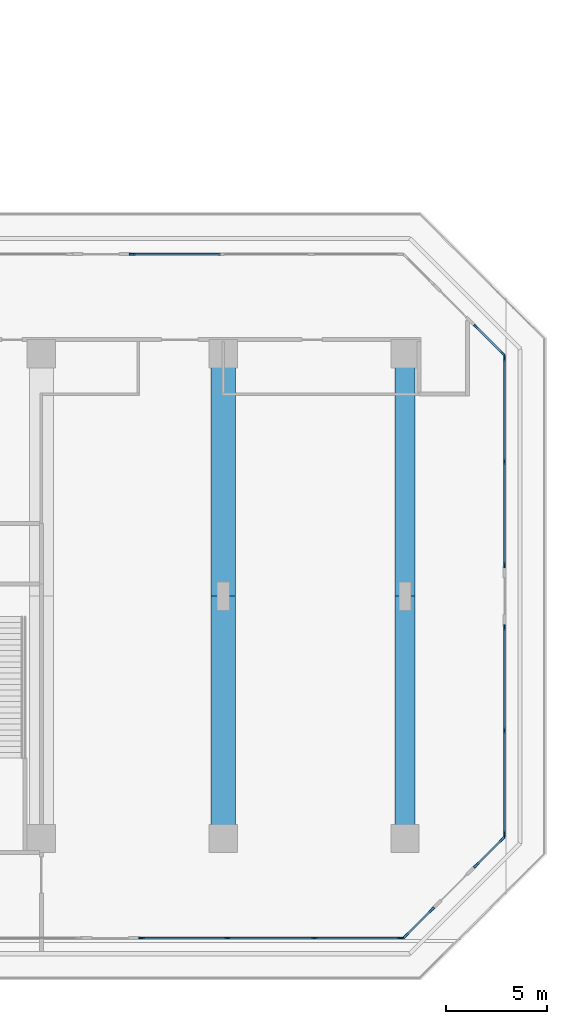
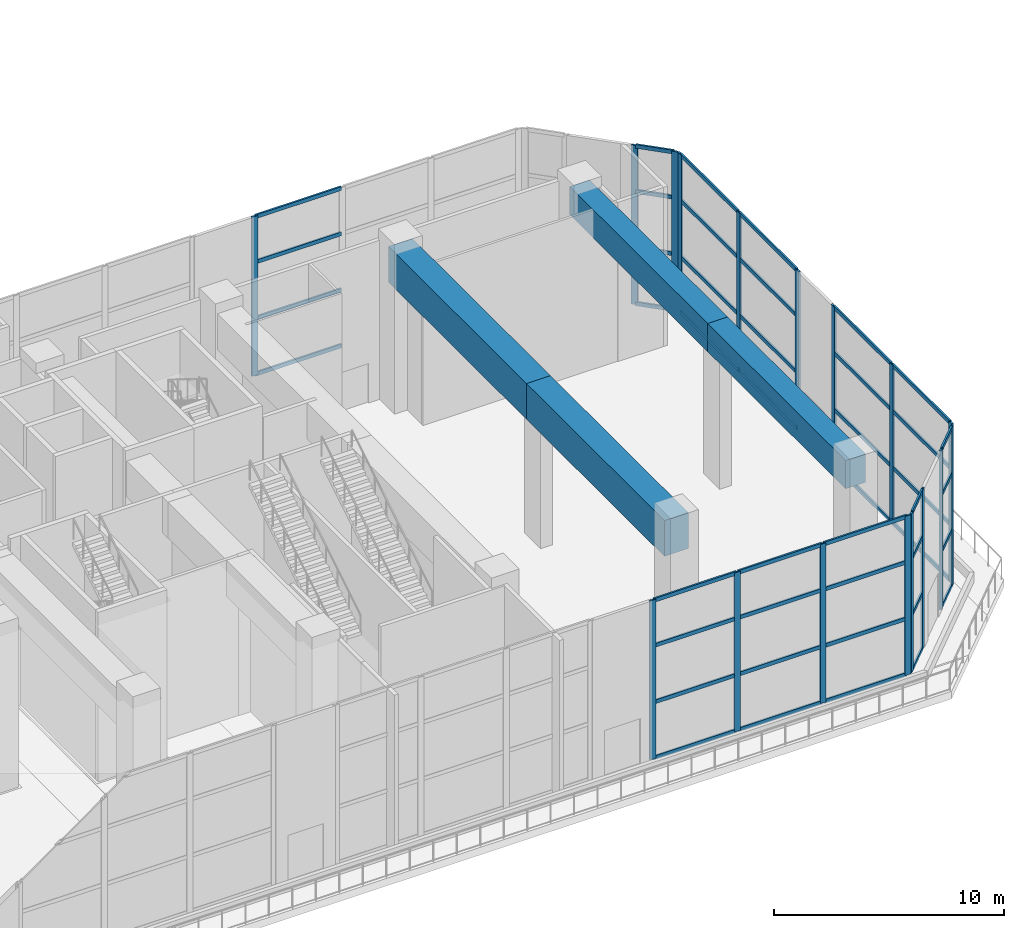
# One storey, part 6 of 28: 61 members, 4 beams, 7 elements without a shape of their own.
"""IFC4 building model written with IfcOpenShell, lengths in metres."""

import ifcopenshell
import ifcopenshell.guid

model = None  # the IFC model being written
_history = None  # IfcOwnerHistory: only IFC2X3 demands one
_inside = {}  # id of a spatial element -> (the spatial element, [elements in it])
_under = {}  # id of a project, library or spatial element -> (it, [spatial elements below it])
_declared = {}  # id of a project -> (the project, [libraries it declares])
_typed = {}  # id of a type object -> (the type object, [elements of that type])
_made_of = {}  # id of a material, layer set ... -> (it, [elements and type objects made of it])


def new_model(schema):
    """Start an empty IFC model of exactly this schema.

    Asked for "IFC4X3", IfcOpenShell would pick the latest addendum, in which some entities
    have other attributes; the version numbers below select the first issue.
    IFC2X3 requires an IfcOwnerHistory on every rooted entity: one is made here for all.
    """
    global model, _history
    if schema == "IFC4X3":
        model = ifcopenshell.file(schema_version=(4, 3, 0, 0))
    else:
        model = ifcopenshell.file(schema=schema)
    _inside.clear()
    _under.clear()
    _declared.clear()
    _typed.clear()
    _made_of.clear()
    _history = None
    if model.schema == "IFC2X3":
        org = make("IfcOrganization", Name="unknown")
        user = make(
            "IfcPersonAndOrganization",
            ThePerson=make("IfcPerson", FamilyName="unknown"),
            TheOrganization=org,
        )
        app = make(
            "IfcApplication",
            ApplicationDeveloper=org,
            Version="unknown",
            ApplicationFullName="unknown",
            ApplicationIdentifier="unknown",
        )
        _history = make(
            "IfcOwnerHistory",
            OwningUser=user,
            OwningApplication=app,
            ChangeAction="ADDED",
            CreationDate=0,
        )
    return model


def make(cls, **values):
    """One entity of the class cls with the attributes given. An attribute that is None is left unset."""
    return model.create_entity(
        cls, **{name: value for name, value in values.items() if value is not None}
    )


def rooted(cls, **values):
    """An entity with a GlobalId (a new one), such as an element, a storey or a relation."""
    return make(cls, GlobalId=ifcopenshell.guid.new(), OwnerHistory=_history, **values)


def si_unit(unit_type, name, prefix=None):
    """IfcSIUnit, for example si_unit("LENGTHUNIT", "METRE", prefix="MILLI")."""
    return make("IfcSIUnit", UnitType=unit_type, Prefix=prefix, Name=name)


def assignment(units):
    """IfcUnitAssignment: the units of a project."""
    return None if units is None else make("IfcUnitAssignment", Units=units)


def point(xyz):
    """IfcCartesianPoint."""
    return None if xyz is None else make("IfcCartesianPoint", Coordinates=xyz)


def direction(xyz):
    """IfcDirection."""
    return None if xyz is None else make("IfcDirection", DirectionRatios=xyz)


def frame(location, z_axis=None, x_axis=None):
    """IfcAxis2Placement3D, a coordinate frame: its origin and axes. An axis left out is left unset."""
    return make(
        "IfcAxis2Placement3D",
        Location=point(location),
        Axis=direction(z_axis),
        RefDirection=direction(x_axis),
    )


def frame_2d(location, x_axis=None):
    """IfcAxis2Placement2D, a coordinate frame in the plane: its origin and x axis."""
    return make(
        "IfcAxis2Placement2D", Location=point(location), RefDirection=direction(x_axis)
    )


def origin():
    """The frame at (0, 0, 0) with its axes left unset."""
    return frame((0.0, 0.0, 0.0))


def origin_2d():
    """The frame at (0, 0) in the plane with its x axis left unset."""
    return frame_2d((0.0, 0.0))


def place(relative_to, where):
    """IfcLocalPlacement: puts the frame where relative to a parent placement (None: the world)."""
    return make(
        "IfcLocalPlacement", PlacementRelTo=relative_to, RelativePlacement=where
    )


def context(
    kind, dimensions, precision=None, world=None, true_north=None, identifier=None
):
    """IfcGeometricRepresentationContext, for example the 3D "Model" context."""
    return make(
        "IfcGeometricRepresentationContext",
        ContextIdentifier=identifier,
        ContextType=kind,
        CoordinateSpaceDimension=dimensions,
        Precision=precision,
        WorldCoordinateSystem=world,
        TrueNorth=true_north,
    )


def subcontext(parent, identifier, kind, view, scale=None):
    """IfcGeometricRepresentationSubContext, for example "Body" below "Model"."""
    return make(
        "IfcGeometricRepresentationSubContext",
        ContextIdentifier=identifier,
        ContextType=kind,
        ParentContext=parent,
        TargetScale=scale,
        TargetView=view,
    )


def project(units=None, contexts=None):
    """IfcProject with its units and contexts."""
    return rooted(
        "IfcProject",
        Name="project",
        RepresentationContexts=contexts,
        UnitsInContext=assignment(units),
    )


def spatial(cls, under=None, at=None, **own):
    """A site, building, storey or space (cls), placed at a placement, below another one or the project."""
    s = rooted(cls, ObjectPlacement=at, **own)
    if under is not None:
        _under.setdefault(under.id(), (under, []))[1].append(s)
    return s


def profile(cls, at=None, kind="AREA", **sizes):
    """A parametric profile (cls). Its sizes go by their IFC names, for example OverallWidth=200.0."""
    return make(cls, ProfileType=kind, Position=at, **sizes)


def rectangle(**sizes):
    """IfcRectangleProfileDef."""
    return profile("IfcRectangleProfileDef", **sizes)


def extrude(swept, where, along, depth):
    """IfcExtrudedAreaSolid: the profile swept, set in the frame where, extruded along a direction by depth."""
    return make(
        "IfcExtrudedAreaSolid",
        SweptArea=swept,
        Position=where,
        ExtrudedDirection=direction(along),
        Depth=depth,
    )


def shape(context_of_items, identifier, shape_type, items):
    """IfcShapeRepresentation: the items that make up one representation, for example the "Body"."""
    return make(
        "IfcShapeRepresentation",
        ContextOfItems=context_of_items,
        RepresentationIdentifier=identifier,
        RepresentationType=shape_type,
        Items=items,
    )


def material(Name=None, Category=None):
    """IfcMaterial."""
    return make("IfcMaterial", Name=Name, Category=Category)


def layer(
    of_material, thickness, ventilated=None, Name=None, Category=None, Priority=None
):
    """IfcMaterialLayer: one layer of a wall or slab, of a material (None: an air gap)."""
    return make(
        "IfcMaterialLayer",
        Material=of_material,
        LayerThickness=thickness,
        IsVentilated=ventilated,
        Name=Name,
        Category=Category,
        Priority=Priority,
    )


def layer_set(layers, Name=None):
    """IfcMaterialLayerSet."""
    return make("IfcMaterialLayerSet", MaterialLayers=layers, LayerSetName=Name)


def material_profile(
    of_material, cross_section, Name=None, Category=None, Priority=None
):
    """IfcMaterialProfile: a cross section and its material."""
    return make(
        "IfcMaterialProfile",
        Name=Name,
        Material=of_material,
        Profile=cross_section,
        Priority=Priority,
        Category=Category,
    )


def profile_set(profiles, Name=None, composite=None):
    """IfcMaterialProfileSet."""
    return make(
        "IfcMaterialProfileSet",
        Name=Name,
        MaterialProfiles=profiles,
        CompositeProfile=composite,
    )


def made_of(thing, what):
    """Note that an element or type object is made of a material, layer set ...; save() writes the relation."""
    if what is not None:
        _made_of.setdefault(what.id(), (what, []))[1].append(thing)
    return thing


def type_object(cls, material=None, **own):
    """A type object (cls), such as IfcWallType, which elements share."""
    return made_of(rooted(cls, **own), material)


def element(
    cls,
    number,
    at=None,
    inside=None,
    cuts=None,
    type_object=None,
    material=None,
    context=None,
    identifier="Body",
    shape_type=None,
    held_by="IfcProductDefinitionShape",
    body=None,
    shapes=None,
    **own,
):
    """One element of the class cls, such as IfcWall. Its Tag is "e" and its number.

    at: its placement. inside: the storey or other place that contains it. cuts: it is an
    opening in that element (IfcRelVoidsElement). A single representation is given by context,
    identifier, shape_type and body (its items); several are given by shapes. held_by: the class
    of the entity that holds the representations. save() writes the other relations.
    """
    e = rooted(cls, Tag="e%d" % number, ObjectPlacement=at, **own)
    if body is not None:
        shapes = [shape(context, identifier, shape_type, body)]
    if shapes is not None:
        e.Representation = make(held_by, Representations=shapes)
    if inside is not None:
        _inside.setdefault(inside.id(), (inside, []))[1].append(e)
    if cuts is not None:
        rooted(
            "IfcRelVoidsElement", RelatingBuildingElement=cuts, RelatedOpeningElement=e
        )
    if type_object is not None:
        _typed.setdefault(type_object.id(), (type_object, []))[1].append(e)
    return made_of(e, material)


def aggregate(whole, parts):
    """IfcRelAggregates: a whole, such as a stair, and the parts it consists of."""
    return rooted("IfcRelAggregates", RelatingObject=whole, RelatedObjects=parts)


def save(model, path):
    """Write the relations noted so far, then the file.

    IfcRelAggregates (storeys below a building ...), IfcRelContainedInSpatialStructure (elements
    in a storey), IfcRelDefinesByType, IfcRelAssociatesMaterial and IfcRelDeclares: one each for
    every whole, place, type object, material and project.
    """
    for whole, parts in _under.values():
        aggregate(whole, parts)
    for where, things in _inside.values():
        rooted(
            "IfcRelContainedInSpatialStructure",
            RelatedElements=things,
            RelatingStructure=where,
        )
    for kind, things in _typed.values():
        rooted("IfcRelDefinesByType", RelatedObjects=things, RelatingType=kind)
    for what, things in _made_of.values():
        rooted("IfcRelAssociatesMaterial", RelatedObjects=things, RelatingMaterial=what)
    for by, libraries in _declared.values():
        rooted("IfcRelDeclares", RelatingContext=by, RelatedDefinitions=libraries)
    model.write(path)


model = new_model("IFC4")

# Units and contexts
model_context = context("Model", 3, precision=1e-05, world=origin(), true_north=direction((0.0, 1.0)))
body_context = subcontext(model_context, "Body", "Model", "MODEL_VIEW")
ifc_project = project(units=[si_unit("LENGTHUNIT", "METRE"), si_unit("AREAUNIT", "SQUARE_METRE"), si_unit("VOLUMEUNIT", "CUBIC_METRE"), si_unit("PLANEANGLEUNIT", "RADIAN"), si_unit("MASSUNIT", "GRAM", prefix="KILO")], contexts=[model_context])

# Site, building, storey
site_placement = place(None, origin())
site = spatial("IfcSite", under=ifc_project, at=site_placement, CompositionType="ELEMENT")
building_placement = place(site_placement, origin())
building = spatial("IfcBuilding", under=site, at=building_placement, Name="Chenar Terraces", CompositionType="ELEMENT")
storey_placement = place(building_placement, frame((0.0, 0.0, 26.39990234375)))
storey = spatial("IfcBuildingStorey", under=building, at=storey_placement, Name="L05", CompositionType="ELEMENT", Elevation=26.39990234375)

# Curtain wall, members
ifc_material_1 = material(Name="Aluminium framed glazing", Category="aluminium")
ifc_layer = layer(ifc_material_1, 0.14990234375)
ifc_layer_set = layer_set([ifc_layer], Name="Aluminium framed glazing")
curtain_wall_type = type_object("IfcCurtainWallType", Name="Hall curtain wall", PredefinedType="NOTDEFINED", material=ifc_layer_set)
placement = place(storey_placement, origin())
curtain_wall_1 = element("IfcCurtainWall", 1, at=placement, inside=storey, type_object=curtain_wall_type, Name="Hall curtain wall", PredefinedType="NOTDEFINED")
ifc_material_2 = material(Name="Aluminium", Category="aluminium")
ifc_material_profile_1 = material_profile(ifc_material_2, rectangle(XDim=0.090087890625, YDim=0.300048828125, at=origin_2d()), Name="Hall glazing mullion 90 x 300")
ifc_profile_set_1 = profile_set([ifc_material_profile_1], Name="Aluminium")
member_type_1 = type_object("IfcMemberType", Name="Hall glazing mullion 90 x 300", PredefinedType="MULLION", material=ifc_profile_set_1)
member_1_placement = place(storey_placement, frame((76.80908203125, 24.03466796875, 0.0), z_axis=(0.0, 0.0, 1.0), x_axis=(-0.707106781187, -0.707106781187, 0.0)))
member_1 = element("IfcMember", 2, at=member_1_placement, type_object=member_type_1, Name="CW5-01c0 mullion 1", PredefinedType="MULLION", context=body_context, shape_type="SweptSolid", body=[
    extrude(rectangle(XDim=0.090087890625, YDim=0.300048828125, at=origin_2d()), origin(), (0.0, 0.0, 1.0), 8.4501953125),
])
member_2_placement = place(storey_placement, frame((75.523193359375, 25.320556640625, 0.0), z_axis=(0.0, 0.0, 1.0), x_axis=(-0.707106781187, -0.707106781187, 0.0)))
member_2 = element("IfcMember", 3, at=member_2_placement, type_object=member_type_1, Name="CW5-01c0 mullion 2", PredefinedType="MULLION", context=body_context, shape_type="SweptSolid", body=[
    extrude(rectangle(XDim=0.090087890625, YDim=0.300048828125, at=origin_2d()), origin(), (0.0, 0.0, 1.0), 8.4501953125),
])

# Curtain wall, member
curtain_wall_2 = element("IfcCurtainWall", 4, at=placement, inside=storey, type_object=curtain_wall_type, Name="Hall curtain wall", PredefinedType="NOTDEFINED")
member_3_placement = place(storey_placement, frame((58.507080078125, 28.925048828125, 0.0), z_axis=(0.0, 0.0, 1.0), x_axis=(0.0, -1.0, 0.0)))
member_3 = element("IfcMember", 5, at=member_3_placement, type_object=member_type_1, Name="CW5-02c0 mullion 4", PredefinedType="MULLION", context=body_context, shape_type="SweptSolid", body=[
    extrude(rectangle(XDim=0.090087890625, YDim=0.300048828125, at=origin_2d()), origin(), (0.0, 0.0, 1.0), 8.4501953125),
])

# Curtain wall, members
curtain_wall_3 = element("IfcCurtainWall", 6, at=placement, inside=storey, type_object=curtain_wall_type, Name="Hall curtain wall", PredefinedType="NOTDEFINED")
member_4_placement = place(storey_placement, frame((58.957275390625, -4.925048828125, 0.0), z_axis=(0.0, 0.0, 1.0), x_axis=(0.0, 1.0, 0.0)))
member_4 = element("IfcMember", 7, at=member_4_placement, type_object=member_type_1, Name="CW5-12c3 mullion 1", PredefinedType="MULLION", context=body_context, shape_type="SweptSolid", body=[
    extrude(rectangle(XDim=0.090087890625, YDim=0.300048828125, at=origin_2d()), origin(), (0.0, 0.0, 1.0), 8.4501953125),
])
member_5_placement = place(storey_placement, frame((63.208251953125, -4.925048828125, 0.0), z_axis=(0.0, 0.0, 1.0), x_axis=(0.0, 1.0, 0.0)))
member_5 = element("IfcMember", 8, at=member_5_placement, type_object=member_type_1, Name="CW5-12c3 mullion 2", PredefinedType="MULLION", context=body_context, shape_type="SweptSolid", body=[
    extrude(rectangle(XDim=0.090087890625, YDim=0.300048828125, at=origin_2d()), origin(), (0.0, 0.0, 1.0), 8.4501953125),
])
member_6_placement = place(storey_placement, frame((67.50390625, -4.925048828125, 0.0), z_axis=(0.0, 0.0, 1.0), x_axis=(0.0, 1.0, 0.0)))
member_6 = element("IfcMember", 9, at=member_6_placement, type_object=member_type_1, Name="CW5-12c3 mullion 3", PredefinedType="MULLION", context=body_context, shape_type="SweptSolid", body=[
    extrude(rectangle(XDim=0.090087890625, YDim=0.300048828125, at=origin_2d()), origin(), (0.0, 0.0, 1.0), 8.4501953125),
])
member_7_placement = place(storey_placement, frame((71.754638671875, -4.925048828125, 0.0), z_axis=(0.0, 0.0, 1.0), x_axis=(0.0, 1.0, 0.0)))
member_7 = element("IfcMember", 10, at=member_7_placement, type_object=member_type_1, Name="CW5-12c3 mullion 4", PredefinedType="MULLION", context=body_context, shape_type="SweptSolid", body=[
    extrude(rectangle(XDim=0.090087890625, YDim=0.300048828125, at=origin_2d()), origin(), (0.0, 0.0, 1.0), 8.4501953125),
])

curtain_wall_4 = element("IfcCurtainWall", 11, at=placement, inside=storey, type_object=curtain_wall_type, Name="Hall curtain wall", PredefinedType="NOTDEFINED")
member_8_placement = place(storey_placement, frame((72.03466796875, -4.80908203125, 0.0), z_axis=(0.0, 0.0, 1.0), x_axis=(-0.707106781187, 0.707106781187, 0.0)))
member_8 = element("IfcMember", 12, at=member_8_placement, type_object=member_type_1, Name="CW5-13c0 mullion 1", PredefinedType="MULLION", context=body_context, shape_type="SweptSolid", body=[
    extrude(rectangle(XDim=0.090087890625, YDim=0.300048828125, at=origin_2d()), origin(), (0.0, 0.0, 1.0), 8.4501953125),
])
member_9_placement = place(storey_placement, frame((73.320556640625, -3.523193359375, 0.0), z_axis=(0.0, 0.0, 1.0), x_axis=(-0.707106781187, 0.707106781187, 0.0)))
member_9 = element("IfcMember", 13, at=member_9_placement, type_object=member_type_1, Name="CW5-13c0 mullion 2", PredefinedType="MULLION", context=body_context, shape_type="SweptSolid", body=[
    extrude(rectangle(XDim=0.090087890625, YDim=0.300048828125, at=origin_2d()), origin(), (0.0, 0.0, 1.0), 8.4501953125),
])

curtain_wall_5 = element("IfcCurtainWall", 14, at=placement, inside=storey, type_object=curtain_wall_type, Name="Hall curtain wall", PredefinedType="NOTDEFINED")
member_10_placement = place(storey_placement, frame((75.523193359375, -1.320556640625, 0.0), z_axis=(0.0, 0.0, 1.0), x_axis=(-0.707106781187, 0.707106781187, 0.0)))
member_10 = element("IfcMember", 15, at=member_10_placement, type_object=member_type_1, Name="CW5-13c1 mullion 1", PredefinedType="MULLION", context=body_context, shape_type="SweptSolid", body=[
    extrude(rectangle(XDim=0.090087890625, YDim=0.300048828125, at=origin_2d()), origin(), (0.0, 0.0, 1.0), 8.4501953125),
])
member_11_placement = place(storey_placement, frame((76.80908203125, -0.03466796875, 0.0), z_axis=(0.0, 0.0, 1.0), x_axis=(-0.707106781187, 0.707106781187, 0.0)))
member_11 = element("IfcMember", 16, at=member_11_placement, type_object=member_type_1, Name="CW5-13c1 mullion 2", PredefinedType="MULLION", context=body_context, shape_type="SweptSolid", body=[
    extrude(rectangle(XDim=0.090087890625, YDim=0.300048828125, at=origin_2d()), origin(), (0.0, 0.0, 1.0), 8.4501953125),
])

curtain_wall_6 = element("IfcCurtainWall", 17, at=placement, inside=storey, type_object=curtain_wall_type, Name="Hall curtain wall", PredefinedType="NOTDEFINED")
member_12_placement = place(storey_placement, frame((76.925048828125, 0.245361328125, 0.0), z_axis=(0.0, 0.0, 1.0), x_axis=(-1.0, 0.0, 0.0)))
member_12 = element("IfcMember", 18, at=member_12_placement, type_object=member_type_1, Name="CW5-14c0 mullion 1", PredefinedType="MULLION", context=body_context, shape_type="SweptSolid", body=[
    extrude(rectangle(XDim=0.090087890625, YDim=0.300048828125, at=origin_2d()), origin(), (0.0, 0.0, 1.0), 8.4501953125),
])
member_13_placement = place(storey_placement, frame((76.925048828125, 5.343994140625, 0.0), z_axis=(0.0, 0.0, 1.0), x_axis=(-1.0, 0.0, 0.0)))
member_13 = element("IfcMember", 19, at=member_13_placement, type_object=member_type_1, Name="CW5-14c0 mullion 2", PredefinedType="MULLION", context=body_context, shape_type="SweptSolid", body=[
    extrude(rectangle(XDim=0.090087890625, YDim=0.300048828125, at=origin_2d()), origin(), (0.0, 0.0, 1.0), 8.4501953125),
])
member_14_placement = place(storey_placement, frame((76.925048828125, 10.442626953125, 0.0), z_axis=(0.0, 0.0, 1.0), x_axis=(-1.0, 0.0, 0.0)))
member_14 = element("IfcMember", 20, at=member_14_placement, type_object=member_type_1, Name="CW5-14c0 mullion 3", PredefinedType="MULLION", context=body_context, shape_type="SweptSolid", body=[
    extrude(rectangle(XDim=0.090087890625, YDim=0.300048828125, at=origin_2d()), origin(), (0.0, 0.0, 1.0), 8.4501953125),
])

curtain_wall_7 = element("IfcCurtainWall", 21, at=placement, inside=storey, type_object=curtain_wall_type, Name="Hall curtain wall", PredefinedType="NOTDEFINED")
member_15_placement = place(storey_placement, frame((76.925048828125, 13.557373046875, 0.0), z_axis=(0.0, 0.0, 1.0), x_axis=(-1.0, 0.0, 0.0)))
member_15 = element("IfcMember", 22, at=member_15_placement, type_object=member_type_1, Name="CW5-14c1 mullion 1", PredefinedType="MULLION", context=body_context, shape_type="SweptSolid", body=[
    extrude(rectangle(XDim=0.090087890625, YDim=0.300048828125, at=origin_2d()), origin(), (0.0, 0.0, 1.0), 8.4501953125),
])
member_16_placement = place(storey_placement, frame((76.925048828125, 18.656005859375, 0.0), z_axis=(0.0, 0.0, 1.0), x_axis=(-1.0, 0.0, 0.0)))
member_16 = element("IfcMember", 23, at=member_16_placement, type_object=member_type_1, Name="CW5-14c1 mullion 2", PredefinedType="MULLION", context=body_context, shape_type="SweptSolid", body=[
    extrude(rectangle(XDim=0.090087890625, YDim=0.300048828125, at=origin_2d()), origin(), (0.0, 0.0, 1.0), 8.4501953125),
])
member_17_placement = place(storey_placement, frame((76.925048828125, 23.754638671875, 0.0), z_axis=(0.0, 0.0, 1.0), x_axis=(-1.0, 0.0, 0.0)))
member_17 = element("IfcMember", 24, at=member_17_placement, type_object=member_type_1, Name="CW5-14c1 mullion 3", PredefinedType="MULLION", context=body_context, shape_type="SweptSolid", body=[
    extrude(rectangle(XDim=0.090087890625, YDim=0.300048828125, at=origin_2d()), origin(), (0.0, 0.0, 1.0), 8.4501953125),
])

# Member
ifc_material_3 = material(Name="Aluminium", Category="aluminium")
ifc_material_profile_2 = material_profile(ifc_material_3, rectangle(XDim=0.090087890625, YDim=0.199951171875, at=origin_2d()), Name="Hall glazing transom 90 x 200")
ifc_profile_set_2 = profile_set([ifc_material_profile_2], Name="Aluminium")
member_type_2 = type_object("IfcMemberType", Name="Hall glazing transom 90 x 200", PredefinedType="USERDEFINED", material=ifc_profile_set_2)
member_18_placement = place(storey_placement, frame((76.77734375, 24.06640625, 0.045166015625), z_axis=(-0.707177396533, 0.707036158787, 0.0), x_axis=(-0.707036158787, -0.707177396533, 0.0)))
member_18 = element("IfcMember", 25, at=member_18_placement, type_object=member_type_2, Name="CW5-01c0 transom 1.1", ObjectType="TRANSOM", PredefinedType="USERDEFINED", context=body_context, shape_type="SweptSolid", body=[
    extrude(rectangle(XDim=0.090087890625, YDim=0.199951171875, at=origin_2d()), origin(), (0.0, 0.0, 1.0), 1.728515625),
])

member_19_placement = place(storey_placement, frame((76.77734375, 24.06640625, 3.0), z_axis=(-0.707177396533, 0.707036158787, 0.0), x_axis=(-0.707036158787, -0.707177396533, 0.0)))
member_19 = element("IfcMember", 26, at=member_19_placement, type_object=member_type_2, Name="CW5-01c0 transom 1.2", ObjectType="TRANSOM", PredefinedType="USERDEFINED", context=body_context, shape_type="SweptSolid", body=[
    extrude(rectangle(XDim=0.090087890625, YDim=0.199951171875, at=origin_2d()), origin(), (0.0, 0.0, 1.0), 1.728515625),
])

member_20_placement = place(storey_placement, frame((76.77734375, 24.06640625, 6.0), z_axis=(-0.707177396533, 0.707036158787, 0.0), x_axis=(-0.707036158787, -0.707177396533, 0.0)))
member_20 = element("IfcMember", 27, at=member_20_placement, type_object=member_type_2, Name="CW5-01c0 transom 1.3", ObjectType="TRANSOM", PredefinedType="USERDEFINED", context=body_context, shape_type="SweptSolid", body=[
    extrude(rectangle(XDim=0.090087890625, YDim=0.199951171875, at=origin_2d()), origin(), (0.0, 0.0, 1.0), 1.728515625),
])

member_21_placement = place(storey_placement, frame((76.77734375, 24.06640625, 8.405029296875), z_axis=(-0.707177396533, 0.707036158787, 0.0), x_axis=(-0.707036158787, -0.707177396533, 0.0)))
member_21 = element("IfcMember", 28, at=member_21_placement, type_object=member_type_2, Name="CW5-01c0 transom 1.4", ObjectType="TRANSOM", PredefinedType="USERDEFINED", context=body_context, shape_type="SweptSolid", body=[
    extrude(rectangle(XDim=0.090087890625, YDim=0.199951171875, at=origin_2d()), origin(), (0.0, 0.0, 1.0), 1.728515625),
])

aggregate(curtain_wall_1, [member_1, member_2, member_18, member_19, member_20, member_21])

member_22_placement = place(storey_placement, frame((62.863037109375, 28.925048828125, 0.045166015625), z_axis=(-1.0, 0.0, 0.0), x_axis=(0.0, -1.0, 0.0)))
member_22 = element("IfcMember", 29, at=member_22_placement, type_object=member_type_2, Name="CW5-02c0 transom 3.1", ObjectType="TRANSOM", PredefinedType="USERDEFINED", context=body_context, shape_type="SweptSolid", body=[
    extrude(rectangle(XDim=0.090087890625, YDim=0.199951171875, at=origin_2d()), origin(), (0.0, 0.0, 1.0), 4.310791015625),
])

member_23_placement = place(storey_placement, frame((62.863037109375, 28.925048828125, 3.0), z_axis=(-1.0, 0.0, 0.0), x_axis=(0.0, -1.0, 0.0)))
member_23 = element("IfcMember", 30, at=member_23_placement, type_object=member_type_2, Name="CW5-02c0 transom 3.2", ObjectType="TRANSOM", PredefinedType="USERDEFINED", context=body_context, shape_type="SweptSolid", body=[
    extrude(rectangle(XDim=0.090087890625, YDim=0.199951171875, at=origin_2d()), origin(), (0.0, 0.0, 1.0), 4.310791015625),
])

member_24_placement = place(storey_placement, frame((62.863037109375, 28.925048828125, 6.0), z_axis=(-1.0, 0.0, 0.0), x_axis=(0.0, -1.0, 0.0)))
member_24 = element("IfcMember", 31, at=member_24_placement, type_object=member_type_2, Name="CW5-02c0 transom 3.3", ObjectType="TRANSOM", PredefinedType="USERDEFINED", context=body_context, shape_type="SweptSolid", body=[
    extrude(rectangle(XDim=0.090087890625, YDim=0.199951171875, at=origin_2d()), origin(), (0.0, 0.0, 1.0), 4.310791015625),
])

member_25_placement = place(storey_placement, frame((62.863037109375, 28.925048828125, 8.405029296875), z_axis=(-1.0, 0.0, 0.0), x_axis=(0.0, -1.0, 0.0)))
member_25 = element("IfcMember", 32, at=member_25_placement, type_object=member_type_2, Name="CW5-02c0 transom 3.4", ObjectType="TRANSOM", PredefinedType="USERDEFINED", context=body_context, shape_type="SweptSolid", body=[
    extrude(rectangle(XDim=0.090087890625, YDim=0.199951171875, at=origin_2d()), origin(), (0.0, 0.0, 1.0), 4.310791015625),
])

aggregate(curtain_wall_2, [member_3, member_22, member_23, member_24, member_25])

member_26_placement = place(storey_placement, frame((59.00244140625, -4.925048828125, 0.045166015625), z_axis=(1.0, 0.0, 0.0), x_axis=(0.0, 1.0, 0.0)))
member_26 = element("IfcMember", 33, at=member_26_placement, type_object=member_type_2, Name="CW5-12c3 transom 1.1", ObjectType="TRANSOM", PredefinedType="USERDEFINED", context=body_context, shape_type="SweptSolid", body=[
    extrude(rectangle(XDim=0.090087890625, YDim=0.199951171875, at=origin_2d()), origin(), (0.0, 0.0, 1.0), 4.16064453125),
])

member_27_placement = place(storey_placement, frame((59.00244140625, -4.925048828125, 3.0), z_axis=(1.0, 0.0, 0.0), x_axis=(0.0, 1.0, 0.0)))
member_27 = element("IfcMember", 34, at=member_27_placement, type_object=member_type_2, Name="CW5-12c3 transom 1.2", ObjectType="TRANSOM", PredefinedType="USERDEFINED", context=body_context, shape_type="SweptSolid", body=[
    extrude(rectangle(XDim=0.090087890625, YDim=0.199951171875, at=origin_2d()), origin(), (0.0, 0.0, 1.0), 4.16064453125),
])

member_28_placement = place(storey_placement, frame((59.00244140625, -4.925048828125, 6.0), z_axis=(1.0, 0.0, 0.0), x_axis=(0.0, 1.0, 0.0)))
member_28 = element("IfcMember", 35, at=member_28_placement, type_object=member_type_2, Name="CW5-12c3 transom 1.3", ObjectType="TRANSOM", PredefinedType="USERDEFINED", context=body_context, shape_type="SweptSolid", body=[
    extrude(rectangle(XDim=0.090087890625, YDim=0.199951171875, at=origin_2d()), origin(), (0.0, 0.0, 1.0), 4.16064453125),
])

member_29_placement = place(storey_placement, frame((59.00244140625, -4.925048828125, 8.405029296875), z_axis=(1.0, 0.0, 0.0), x_axis=(0.0, 1.0, 0.0)))
member_29 = element("IfcMember", 36, at=member_29_placement, type_object=member_type_2, Name="CW5-12c3 transom 1.4", ObjectType="TRANSOM", PredefinedType="USERDEFINED", context=body_context, shape_type="SweptSolid", body=[
    extrude(rectangle(XDim=0.090087890625, YDim=0.199951171875, at=origin_2d()), origin(), (0.0, 0.0, 1.0), 4.16064453125),
])

member_30_placement = place(storey_placement, frame((63.253173828125, -4.925048828125, 0.045166015625), z_axis=(1.0, 0.0, 0.0), x_axis=(0.0, 1.0, 0.0)))
member_30 = element("IfcMember", 37, at=member_30_placement, type_object=member_type_2, Name="CW5-12c3 transom 2.1", ObjectType="TRANSOM", PredefinedType="USERDEFINED", context=body_context, shape_type="SweptSolid", body=[
    extrude(rectangle(XDim=0.090087890625, YDim=0.199951171875, at=origin_2d()), origin(), (0.0, 0.0, 1.0), 4.205810546875),
])

member_31_placement = place(storey_placement, frame((63.253173828125, -4.925048828125, 3.0), z_axis=(1.0, 0.0, 0.0), x_axis=(0.0, 1.0, 0.0)))
member_31 = element("IfcMember", 38, at=member_31_placement, type_object=member_type_2, Name="CW5-12c3 transom 2.2", ObjectType="TRANSOM", PredefinedType="USERDEFINED", context=body_context, shape_type="SweptSolid", body=[
    extrude(rectangle(XDim=0.090087890625, YDim=0.199951171875, at=origin_2d()), origin(), (0.0, 0.0, 1.0), 4.205810546875),
])

member_32_placement = place(storey_placement, frame((63.253173828125, -4.925048828125, 6.0), z_axis=(1.0, 0.0, 0.0), x_axis=(0.0, 1.0, 0.0)))
member_32 = element("IfcMember", 39, at=member_32_placement, type_object=member_type_2, Name="CW5-12c3 transom 2.3", ObjectType="TRANSOM", PredefinedType="USERDEFINED", context=body_context, shape_type="SweptSolid", body=[
    extrude(rectangle(XDim=0.090087890625, YDim=0.199951171875, at=origin_2d()), origin(), (0.0, 0.0, 1.0), 4.205810546875),
])

member_33_placement = place(storey_placement, frame((63.253173828125, -4.925048828125, 8.405029296875), z_axis=(1.0, 0.0, 0.0), x_axis=(0.0, 1.0, 0.0)))
member_33 = element("IfcMember", 40, at=member_33_placement, type_object=member_type_2, Name="CW5-12c3 transom 2.4", ObjectType="TRANSOM", PredefinedType="USERDEFINED", context=body_context, shape_type="SweptSolid", body=[
    extrude(rectangle(XDim=0.090087890625, YDim=0.199951171875, at=origin_2d()), origin(), (0.0, 0.0, 1.0), 4.205810546875),
])

member_34_placement = place(storey_placement, frame((67.548828125, -4.925048828125, 0.045166015625), z_axis=(1.0, 0.0, 0.0), x_axis=(0.0, 1.0, 0.0)))
member_34 = element("IfcMember", 41, at=member_34_placement, type_object=member_type_2, Name="CW5-12c3 transom 3.1", ObjectType="TRANSOM", PredefinedType="USERDEFINED", context=body_context, shape_type="SweptSolid", body=[
    extrude(rectangle(XDim=0.090087890625, YDim=0.199951171875, at=origin_2d()), origin(), (0.0, 0.0, 1.0), 4.160888671875),
])

member_35_placement = place(storey_placement, frame((67.548828125, -4.925048828125, 3.0), z_axis=(1.0, 0.0, 0.0), x_axis=(0.0, 1.0, 0.0)))
member_35 = element("IfcMember", 42, at=member_35_placement, type_object=member_type_2, Name="CW5-12c3 transom 3.2", ObjectType="TRANSOM", PredefinedType="USERDEFINED", context=body_context, shape_type="SweptSolid", body=[
    extrude(rectangle(XDim=0.090087890625, YDim=0.199951171875, at=origin_2d()), origin(), (0.0, 0.0, 1.0), 4.160888671875),
])

member_36_placement = place(storey_placement, frame((67.548828125, -4.925048828125, 6.0), z_axis=(1.0, 0.0, 0.0), x_axis=(0.0, 1.0, 0.0)))
member_36 = element("IfcMember", 43, at=member_36_placement, type_object=member_type_2, Name="CW5-12c3 transom 3.3", ObjectType="TRANSOM", PredefinedType="USERDEFINED", context=body_context, shape_type="SweptSolid", body=[
    extrude(rectangle(XDim=0.090087890625, YDim=0.199951171875, at=origin_2d()), origin(), (0.0, 0.0, 1.0), 4.160888671875),
])

member_37_placement = place(storey_placement, frame((67.548828125, -4.925048828125, 8.405029296875), z_axis=(1.0, 0.0, 0.0), x_axis=(0.0, 1.0, 0.0)))
member_37 = element("IfcMember", 44, at=member_37_placement, type_object=member_type_2, Name="CW5-12c3 transom 3.4", ObjectType="TRANSOM", PredefinedType="USERDEFINED", context=body_context, shape_type="SweptSolid", body=[
    extrude(rectangle(XDim=0.090087890625, YDim=0.199951171875, at=origin_2d()), origin(), (0.0, 0.0, 1.0), 4.160888671875),
])

aggregate(curtain_wall_3, [member_4, member_5, member_6, member_7, member_26, member_27, member_28, member_29, member_30, member_31, member_32, member_33, member_34, member_35, member_36, member_37])

member_38_placement = place(storey_placement, frame((72.06640625, -4.77734375, 0.045166015625), z_axis=(0.707036158787, 0.707177396533, 0.0), x_axis=(-0.707177396533, 0.707036158787, 0.0)))
member_38 = element("IfcMember", 45, at=member_38_placement, type_object=member_type_2, Name="CW5-13c0 transom 1.1", ObjectType="TRANSOM", PredefinedType="USERDEFINED", context=body_context, shape_type="SweptSolid", body=[
    extrude(rectangle(XDim=0.090087890625, YDim=0.199951171875, at=origin_2d()), origin(), (0.0, 0.0, 1.0), 1.728515625),
])

member_39_placement = place(storey_placement, frame((72.06640625, -4.77734375, 3.0), z_axis=(0.707036158787, 0.707177396533, 0.0), x_axis=(-0.707177396533, 0.707036158787, 0.0)))
member_39 = element("IfcMember", 46, at=member_39_placement, type_object=member_type_2, Name="CW5-13c0 transom 1.2", ObjectType="TRANSOM", PredefinedType="USERDEFINED", context=body_context, shape_type="SweptSolid", body=[
    extrude(rectangle(XDim=0.090087890625, YDim=0.199951171875, at=origin_2d()), origin(), (0.0, 0.0, 1.0), 1.728515625),
])

member_40_placement = place(storey_placement, frame((72.06640625, -4.77734375, 6.0), z_axis=(0.707036158787, 0.707177396533, 0.0), x_axis=(-0.707177396533, 0.707036158787, 0.0)))
member_40 = element("IfcMember", 47, at=member_40_placement, type_object=member_type_2, Name="CW5-13c0 transom 1.3", ObjectType="TRANSOM", PredefinedType="USERDEFINED", context=body_context, shape_type="SweptSolid", body=[
    extrude(rectangle(XDim=0.090087890625, YDim=0.199951171875, at=origin_2d()), origin(), (0.0, 0.0, 1.0), 1.728515625),
])

member_41_placement = place(storey_placement, frame((72.06640625, -4.77734375, 8.405029296875), z_axis=(0.707036158787, 0.707177396533, 0.0), x_axis=(-0.707177396533, 0.707036158787, 0.0)))
member_41 = element("IfcMember", 48, at=member_41_placement, type_object=member_type_2, Name="CW5-13c0 transom 1.4", ObjectType="TRANSOM", PredefinedType="USERDEFINED", context=body_context, shape_type="SweptSolid", body=[
    extrude(rectangle(XDim=0.090087890625, YDim=0.199951171875, at=origin_2d()), origin(), (0.0, 0.0, 1.0), 1.728515625),
])

aggregate(curtain_wall_4, [member_8, member_9, member_38, member_39, member_40, member_41])

member_42_placement = place(storey_placement, frame((75.554931640625, -1.28857421875, 0.045166015625), z_axis=(0.707177396533, 0.707036158787, 0.0), x_axis=(-0.707036158787, 0.707177396533, 0.0)))
member_42 = element("IfcMember", 49, at=member_42_placement, type_object=member_type_2, Name="CW5-13c1 transom 1.1", ObjectType="TRANSOM", PredefinedType="USERDEFINED", context=body_context, shape_type="SweptSolid", body=[
    extrude(rectangle(XDim=0.090087890625, YDim=0.199951171875, at=origin_2d()), origin(), (0.0, 0.0, 1.0), 1.728515625),
])

member_43_placement = place(storey_placement, frame((75.554931640625, -1.28857421875, 3.0), z_axis=(0.707177396533, 0.707036158787, 0.0), x_axis=(-0.707036158787, 0.707177396533, 0.0)))
member_43 = element("IfcMember", 50, at=member_43_placement, type_object=member_type_2, Name="CW5-13c1 transom 1.2", ObjectType="TRANSOM", PredefinedType="USERDEFINED", context=body_context, shape_type="SweptSolid", body=[
    extrude(rectangle(XDim=0.090087890625, YDim=0.199951171875, at=origin_2d()), origin(), (0.0, 0.0, 1.0), 1.728515625),
])

member_44_placement = place(storey_placement, frame((75.554931640625, -1.28857421875, 6.0), z_axis=(0.707177396533, 0.707036158787, 0.0), x_axis=(-0.707036158787, 0.707177396533, 0.0)))
member_44 = element("IfcMember", 51, at=member_44_placement, type_object=member_type_2, Name="CW5-13c1 transom 1.3", ObjectType="TRANSOM", PredefinedType="USERDEFINED", context=body_context, shape_type="SweptSolid", body=[
    extrude(rectangle(XDim=0.090087890625, YDim=0.199951171875, at=origin_2d()), origin(), (0.0, 0.0, 1.0), 1.728515625),
])

member_45_placement = place(storey_placement, frame((75.554931640625, -1.28857421875, 8.405029296875), z_axis=(0.707177396533, 0.707036158787, 0.0), x_axis=(-0.707036158787, 0.707177396533, 0.0)))
member_45 = element("IfcMember", 52, at=member_45_placement, type_object=member_type_2, Name="CW5-13c1 transom 1.4", ObjectType="TRANSOM", PredefinedType="USERDEFINED", context=body_context, shape_type="SweptSolid", body=[
    extrude(rectangle(XDim=0.090087890625, YDim=0.199951171875, at=origin_2d()), origin(), (0.0, 0.0, 1.0), 1.728515625),
])

aggregate(curtain_wall_5, [member_10, member_11, member_42, member_43, member_44, member_45])

member_46_placement = place(storey_placement, frame((76.925048828125, 0.290283203125, 0.045166015625), z_axis=(0.0, 1.0, 0.0), x_axis=(-1.0, 0.0, 0.0)))
member_46 = element("IfcMember", 53, at=member_46_placement, type_object=member_type_2, Name="CW5-14c0 transom 1.1", ObjectType="TRANSOM", PredefinedType="USERDEFINED", context=body_context, shape_type="SweptSolid", body=[
    extrude(rectangle(XDim=0.090087890625, YDim=0.199951171875, at=origin_2d()), origin(), (0.0, 0.0, 1.0), 5.008544921875),
])

member_47_placement = place(storey_placement, frame((76.925048828125, 0.290283203125, 3.0), z_axis=(0.0, 1.0, 0.0), x_axis=(-1.0, 0.0, 0.0)))
member_47 = element("IfcMember", 54, at=member_47_placement, type_object=member_type_2, Name="CW5-14c0 transom 1.2", ObjectType="TRANSOM", PredefinedType="USERDEFINED", context=body_context, shape_type="SweptSolid", body=[
    extrude(rectangle(XDim=0.090087890625, YDim=0.199951171875, at=origin_2d()), origin(), (0.0, 0.0, 1.0), 5.008544921875),
])

member_48_placement = place(storey_placement, frame((76.925048828125, 0.290283203125, 6.0), z_axis=(0.0, 1.0, 0.0), x_axis=(-1.0, 0.0, 0.0)))
member_48 = element("IfcMember", 55, at=member_48_placement, type_object=member_type_2, Name="CW5-14c0 transom 1.3", ObjectType="TRANSOM", PredefinedType="USERDEFINED", context=body_context, shape_type="SweptSolid", body=[
    extrude(rectangle(XDim=0.090087890625, YDim=0.199951171875, at=origin_2d()), origin(), (0.0, 0.0, 1.0), 5.008544921875),
])

member_49_placement = place(storey_placement, frame((76.925048828125, 0.290283203125, 8.405029296875), z_axis=(0.0, 1.0, 0.0), x_axis=(-1.0, 0.0, 0.0)))
member_49 = element("IfcMember", 56, at=member_49_placement, type_object=member_type_2, Name="CW5-14c0 transom 1.4", ObjectType="TRANSOM", PredefinedType="USERDEFINED", context=body_context, shape_type="SweptSolid", body=[
    extrude(rectangle(XDim=0.090087890625, YDim=0.199951171875, at=origin_2d()), origin(), (0.0, 0.0, 1.0), 5.008544921875),
])

member_50_placement = place(storey_placement, frame((76.925048828125, 5.388916015625, 0.045166015625), z_axis=(0.0, 1.0, 0.0), x_axis=(-1.0, 0.0, 0.0)))
member_50 = element("IfcMember", 57, at=member_50_placement, type_object=member_type_2, Name="CW5-14c0 transom 2.1", ObjectType="TRANSOM", PredefinedType="USERDEFINED", context=body_context, shape_type="SweptSolid", body=[
    extrude(rectangle(XDim=0.090087890625, YDim=0.199951171875, at=origin_2d()), origin(), (0.0, 0.0, 1.0), 5.008544921875),
])

member_51_placement = place(storey_placement, frame((76.925048828125, 5.388916015625, 3.0), z_axis=(0.0, 1.0, 0.0), x_axis=(-1.0, 0.0, 0.0)))
member_51 = element("IfcMember", 58, at=member_51_placement, type_object=member_type_2, Name="CW5-14c0 transom 2.2", ObjectType="TRANSOM", PredefinedType="USERDEFINED", context=body_context, shape_type="SweptSolid", body=[
    extrude(rectangle(XDim=0.090087890625, YDim=0.199951171875, at=origin_2d()), origin(), (0.0, 0.0, 1.0), 5.008544921875),
])

member_52_placement = place(storey_placement, frame((76.925048828125, 5.388916015625, 6.0), z_axis=(0.0, 1.0, 0.0), x_axis=(-1.0, 0.0, 0.0)))
member_52 = element("IfcMember", 59, at=member_52_placement, type_object=member_type_2, Name="CW5-14c0 transom 2.3", ObjectType="TRANSOM", PredefinedType="USERDEFINED", context=body_context, shape_type="SweptSolid", body=[
    extrude(rectangle(XDim=0.090087890625, YDim=0.199951171875, at=origin_2d()), origin(), (0.0, 0.0, 1.0), 5.008544921875),
])

member_53_placement = place(storey_placement, frame((76.925048828125, 5.388916015625, 8.405029296875), z_axis=(0.0, 1.0, 0.0), x_axis=(-1.0, 0.0, 0.0)))
member_53 = element("IfcMember", 60, at=member_53_placement, type_object=member_type_2, Name="CW5-14c0 transom 2.4", ObjectType="TRANSOM", PredefinedType="USERDEFINED", context=body_context, shape_type="SweptSolid", body=[
    extrude(rectangle(XDim=0.090087890625, YDim=0.199951171875, at=origin_2d()), origin(), (0.0, 0.0, 1.0), 5.008544921875),
])

aggregate(curtain_wall_6, [member_12, member_13, member_14, member_46, member_47, member_48, member_49, member_50, member_51, member_52, member_53])

member_54_placement = place(storey_placement, frame((76.925048828125, 13.6025390625, 0.045166015625), z_axis=(0.0, 1.0, 0.0), x_axis=(-1.0, 0.0, 0.0)))
member_54 = element("IfcMember", 61, at=member_54_placement, type_object=member_type_2, Name="CW5-14c1 transom 1.1", ObjectType="TRANSOM", PredefinedType="USERDEFINED", context=body_context, shape_type="SweptSolid", body=[
    extrude(rectangle(XDim=0.090087890625, YDim=0.199951171875, at=origin_2d()), origin(), (0.0, 0.0, 1.0), 5.008544921875),
])

member_55_placement = place(storey_placement, frame((76.925048828125, 13.6025390625, 3.0), z_axis=(0.0, 1.0, 0.0), x_axis=(-1.0, 0.0, 0.0)))
member_55 = element("IfcMember", 62, at=member_55_placement, type_object=member_type_2, Name="CW5-14c1 transom 1.2", ObjectType="TRANSOM", PredefinedType="USERDEFINED", context=body_context, shape_type="SweptSolid", body=[
    extrude(rectangle(XDim=0.090087890625, YDim=0.199951171875, at=origin_2d()), origin(), (0.0, 0.0, 1.0), 5.008544921875),
])

member_56_placement = place(storey_placement, frame((76.925048828125, 13.6025390625, 6.0), z_axis=(0.0, 1.0, 0.0), x_axis=(-1.0, 0.0, 0.0)))
member_56 = element("IfcMember", 63, at=member_56_placement, type_object=member_type_2, Name="CW5-14c1 transom 1.3", ObjectType="TRANSOM", PredefinedType="USERDEFINED", context=body_context, shape_type="SweptSolid", body=[
    extrude(rectangle(XDim=0.090087890625, YDim=0.199951171875, at=origin_2d()), origin(), (0.0, 0.0, 1.0), 5.008544921875),
])

member_57_placement = place(storey_placement, frame((76.925048828125, 13.6025390625, 8.405029296875), z_axis=(0.0, 1.0, 0.0), x_axis=(-1.0, 0.0, 0.0)))
member_57 = element("IfcMember", 64, at=member_57_placement, type_object=member_type_2, Name="CW5-14c1 transom 1.4", ObjectType="TRANSOM", PredefinedType="USERDEFINED", context=body_context, shape_type="SweptSolid", body=[
    extrude(rectangle(XDim=0.090087890625, YDim=0.199951171875, at=origin_2d()), origin(), (0.0, 0.0, 1.0), 5.008544921875),
])

member_58_placement = place(storey_placement, frame((76.925048828125, 18.701171875, 0.045166015625), z_axis=(0.0, 1.0, 0.0), x_axis=(-1.0, 0.0, 0.0)))
member_58 = element("IfcMember", 65, at=member_58_placement, type_object=member_type_2, Name="CW5-14c1 transom 2.1", ObjectType="TRANSOM", PredefinedType="USERDEFINED", context=body_context, shape_type="SweptSolid", body=[
    extrude(rectangle(XDim=0.090087890625, YDim=0.199951171875, at=origin_2d()), origin(), (0.0, 0.0, 1.0), 5.008544921875),
])

member_59_placement = place(storey_placement, frame((76.925048828125, 18.701171875, 3.0), z_axis=(0.0, 1.0, 0.0), x_axis=(-1.0, 0.0, 0.0)))
member_59 = element("IfcMember", 66, at=member_59_placement, type_object=member_type_2, Name="CW5-14c1 transom 2.2", ObjectType="TRANSOM", PredefinedType="USERDEFINED", context=body_context, shape_type="SweptSolid", body=[
    extrude(rectangle(XDim=0.090087890625, YDim=0.199951171875, at=origin_2d()), origin(), (0.0, 0.0, 1.0), 5.008544921875),
])

member_60_placement = place(storey_placement, frame((76.925048828125, 18.701171875, 6.0), z_axis=(0.0, 1.0, 0.0), x_axis=(-1.0, 0.0, 0.0)))
member_60 = element("IfcMember", 67, at=member_60_placement, type_object=member_type_2, Name="CW5-14c1 transom 2.3", ObjectType="TRANSOM", PredefinedType="USERDEFINED", context=body_context, shape_type="SweptSolid", body=[
    extrude(rectangle(XDim=0.090087890625, YDim=0.199951171875, at=origin_2d()), origin(), (0.0, 0.0, 1.0), 5.008544921875),
])

member_61_placement = place(storey_placement, frame((76.925048828125, 18.701171875, 8.405029296875), z_axis=(0.0, 1.0, 0.0), x_axis=(-1.0, 0.0, 0.0)))
member_61 = element("IfcMember", 68, at=member_61_placement, type_object=member_type_2, Name="CW5-14c1 transom 2.4", ObjectType="TRANSOM", PredefinedType="USERDEFINED", context=body_context, shape_type="SweptSolid", body=[
    extrude(rectangle(XDim=0.090087890625, YDim=0.199951171875, at=origin_2d()), origin(), (0.0, 0.0, 1.0), 5.008544921875),
])

aggregate(curtain_wall_7, [member_15, member_16, member_17, member_54, member_55, member_56, member_57, member_58, member_59, member_60, member_61])

# Beams
ifc_material_4 = material(Name="Concrete C60/75", Category="concrete")
ifc_material_profile_3 = material_profile(ifc_material_4, rectangle(XDim=1.0, YDim=1.5, at=origin_2d()), Name="RC 1000 x 1500")
ifc_profile_set_3 = profile_set([ifc_material_profile_3], Name="Concrete C60/75")
beam_type_1 = type_object("IfcBeamType", Name="Transfer girder 1000 x 1500 Concrete C60/75", PredefinedType="BEAM", material=ifc_profile_set_3)
for number, where, z_axis, x_axis, name in (
    (69, (72.0, 0.0, 8.4501953125), (0.0, 1.0, 0.0), (-1.0, 0.0, 0.0), "Transfer girder 12/F south"),
    (70, (72.0, 12.0, 8.4501953125), (0.0, 1.0, 0.0), (-1.0, 0.0, 0.0), "Transfer girder 12/F north"),
):
    element("IfcBeam", number, at=place(storey_placement, frame(where, z_axis=z_axis, x_axis=x_axis)), inside=storey, type_object=beam_type_1, Name=name, PredefinedType="BEAM", context=body_context, shape_type="SweptSolid", body=[
        extrude(rectangle(XDim=1.0, YDim=1.5, at=frame_2d((0.0, -0.75))), origin(), (0.0, 0.0, 1.0), 12.0),
    ])
ifc_material_5 = material(Name="Concrete C60/75", Category="concrete")
ifc_material_profile_4 = material_profile(ifc_material_5, rectangle(XDim=1.199951171875, YDim=1.89990234375, at=origin_2d()), Name="RC 1200 x 1900")
ifc_profile_set_4 = profile_set([ifc_material_profile_4], Name="Concrete C60/75")
beam_type_2 = type_object("IfcBeamType", Name="Transfer girder 1200 x 1900 Concrete C60/75", PredefinedType="BEAM", material=ifc_profile_set_4)
for number, where, z_axis, x_axis, name in (
    (71, (63.0, 0.0, 8.449951171875), (0.0, 1.0, 0.0), (-1.0, 0.0, 0.0), "Transfer girder 11/F south"),
    (72, (63.0, 12.0, 8.449951171875), (0.0, 1.0, 0.0), (-1.0, 0.0, 0.0), "Transfer girder 11/F north"),
):
    element("IfcBeam", number, at=place(storey_placement, frame(where, z_axis=z_axis, x_axis=x_axis)), inside=storey, type_object=beam_type_2, Name=name, PredefinedType="BEAM", context=body_context, shape_type="SweptSolid", body=[
        extrude(rectangle(XDim=1.199951171875, YDim=1.89990234375, at=frame_2d((0.0, -0.949951171875))), origin(), (0.0, 0.0, 1.0), 12.0),
    ])

save(model, "model.ifc")
